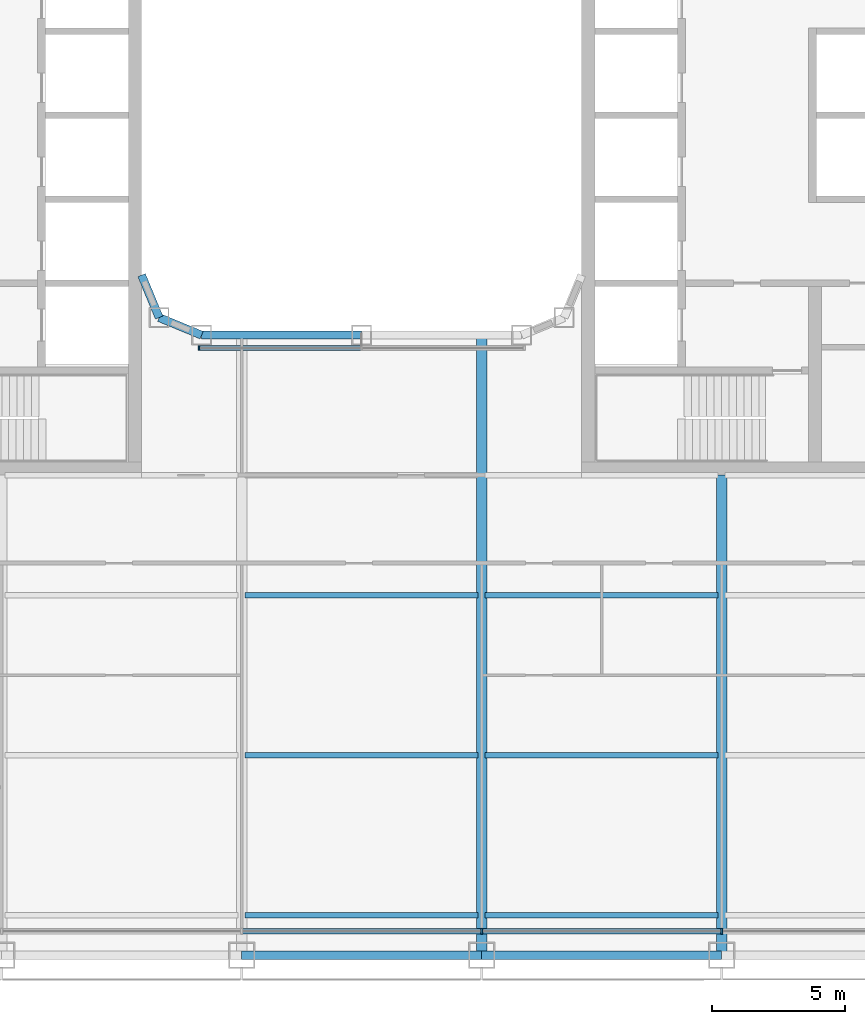
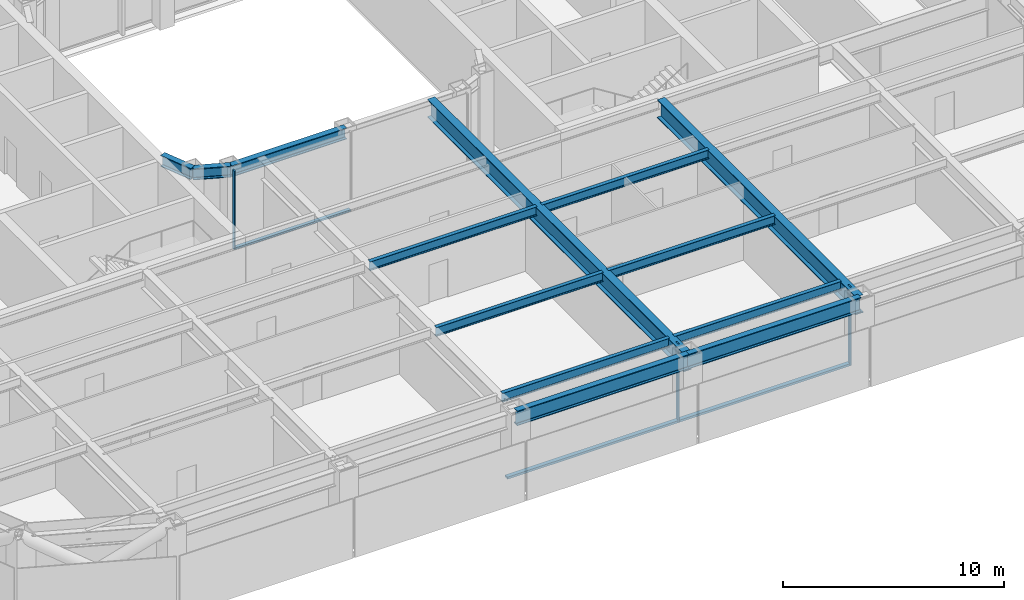
# One storey, part 3 of 30: 13 beams, 6 members, 2 elements without a shape of their own.
"""IFC4 building model written with IfcOpenShell, lengths in metres."""

from ifc_helpers import new_model, si_unit, direction, frame, origin, origin_2d, place, context, subcontext, project, spatial, rectangle, i_section, extrude, material, layer, layer_set, material_profile, profile_set, type_object, element, aggregate, save


model = new_model("IFC4")

# Units and contexts
model_context = context("Model", 3, precision=1e-05, world=origin(), true_north=direction((0.0, 1.0)))
body_context = subcontext(model_context, "Body", "Model", "MODEL_VIEW")
ifc_project = project(units=[si_unit("LENGTHUNIT", "METRE"), si_unit("AREAUNIT", "SQUARE_METRE"), si_unit("VOLUMEUNIT", "CUBIC_METRE"), si_unit("PLANEANGLEUNIT", "RADIAN"), si_unit("MASSUNIT", "GRAM", prefix="KILO")], contexts=[model_context])

# Site, building, storey
site_placement = place(None, origin())
site = spatial("IfcSite", under=ifc_project, at=site_placement, CompositionType="ELEMENT")
building_placement = place(site_placement, origin())
building = spatial("IfcBuilding", under=site, at=building_placement, Name="Siwar Civic Tower", CompositionType="ELEMENT")
storey_placement = place(building_placement, frame((0.0, 0.0, 80.699951171875)))
storey = spatial("IfcBuildingStorey", under=building, at=storey_placement, Name="L17", CompositionType="ELEMENT", Elevation=80.699951171875)

# Curtain wall, members
ifc_material_1 = material(Name="Aluminium and glass", Category="aluminium")
ifc_layer_1 = layer(ifc_material_1, 0.219970703125)
ifc_layer_set_1 = layer_set([ifc_layer_1], Name="Aluminium and glass")
curtain_wall_type_1 = type_object("IfcCurtainWallType", Name="ENV-CW-A", PredefinedType="NOTDEFINED", material=ifc_layer_set_1)
curtain_wall_1_placement = place(storey_placement, origin())
curtain_wall_1 = element("IfcCurtainWall", 1, at=curtain_wall_1_placement, inside=storey, type_object=curtain_wall_type_1, Name="Curtain wall A S", PredefinedType="NOTDEFINED")
ifc_material_2 = material(Name="Aluminium 6063-T6", Category="aluminium")
ifc_material_profile_1 = material_profile(ifc_material_2, rectangle(XDim=0.219970703125, YDim=0.070068359375, at=origin_2d()), Name="AL 220x70")
ifc_profile_set_1 = profile_set([ifc_material_profile_1], Name="Aluminium 6063-T6")
member_type_1 = type_object("IfcMemberType", Name="ENV-MULLION-A", PredefinedType="MULLION", material=ifc_profile_set_1)
member_1_placement = place(storey_placement, frame((4.5, -30.60009765625, 0.0), z_axis=(0.0, 0.0, 1.0), x_axis=(0.0, 1.0, 0.0)))
member_1 = element("IfcMember", 2, at=member_1_placement, type_object=member_type_1, Name="Mullion A S 4", PredefinedType="MULLION", context=body_context, shape_type="SweptSolid", body=[
    extrude(rectangle(XDim=0.219970703125, YDim=0.070068359375, at=origin_2d()), origin(), (0.0, 0.0, 1.0), 4.35009765625),
])
member_2_placement = place(storey_placement, frame((13.5, -30.60009765625, 0.0), z_axis=(0.0, 0.0, 1.0), x_axis=(0.0, 1.0, 0.0)))
member_2 = element("IfcMember", 3, at=member_2_placement, type_object=member_type_1, Name="Mullion A S 5", PredefinedType="MULLION", context=body_context, shape_type="SweptSolid", body=[
    extrude(rectangle(XDim=0.219970703125, YDim=0.070068359375, at=origin_2d()), origin(), (0.0, 0.0, 1.0), 4.35009765625),
])

# Curtain wall, member
ifc_material_3 = material(Name="Aluminium and glass", Category="aluminium")
ifc_layer_2 = layer(ifc_material_3, 0.179931640625)
ifc_layer_set_2 = layer_set([ifc_layer_2], Name="Aluminium and glass")
curtain_wall_type_2 = type_object("IfcCurtainWallType", Name="ENV-CW-W", PredefinedType="NOTDEFINED", material=ifc_layer_set_2)
curtain_wall_2_placement = place(storey_placement, origin())
curtain_wall_2 = element("IfcCurtainWall", 4, at=curtain_wall_2_placement, inside=storey, type_object=curtain_wall_type_2, Name="Curtain wall W WS", PredefinedType="NOTDEFINED")
ifc_material_4 = material(Name="Aluminium 6063-T6", Category="aluminium")
ifc_material_profile_2 = material_profile(ifc_material_4, rectangle(XDim=0.179931640625, YDim=0.06005859375, at=origin_2d()), Name="AL 180x60")
ifc_profile_set_2 = profile_set([ifc_material_profile_2], Name="Aluminium 6063-T6")
member_type_2 = type_object("IfcMemberType", Name="ENV-MULLION-W", PredefinedType="MULLION", material=ifc_profile_set_2)
member_3_placement = place(storey_placement, frame((-6.096435546875, -8.735107421875, 0.0), z_axis=(0.0, 0.0, 1.0), x_axis=(0.0, 1.0, 0.0)))
member_3 = element("IfcMember", 5, at=member_3_placement, type_object=member_type_2, Name="Mullion W WS 1", PredefinedType="MULLION", context=body_context, shape_type="SweptSolid", body=[
    extrude(rectangle(XDim=0.179931640625, YDim=0.06005859375, at=origin_2d()), origin(), (0.0, 0.0, 1.0), 4.35009765625),
])

# Member
ifc_material_5 = material(Name="Aluminium 6063-T6", Category="aluminium")
ifc_material_profile_3 = material_profile(ifc_material_5, rectangle(XDim=0.219970703125, YDim=0.1201171875, at=origin_2d()), Name="AL 220x120")
ifc_profile_set_3 = profile_set([ifc_material_profile_3], Name="Aluminium 6063-T6")
member_type_3 = type_object("IfcMemberType", Name="ENV-TRANSOM-A", PredefinedType="USERDEFINED", material=ifc_profile_set_3)
member_4_placement = place(storey_placement, frame((-4.465087890625, -30.60009765625, 0.06005859375), z_axis=(1.0, 0.0, 0.0), x_axis=(0.0, 1.0, 0.0)))
member_4 = element("IfcMember", 6, at=member_4_placement, type_object=member_type_3, Name="Transom A S 3", ObjectType="TRANSOM", PredefinedType="USERDEFINED", context=body_context, shape_type="SweptSolid", body=[
    extrude(rectangle(XDim=0.219970703125, YDim=0.1201171875, at=origin_2d()), origin(), (0.0, 0.0, 1.0), 8.93017578125),
])

member_5_placement = place(storey_placement, frame((4.534912109375, -30.60009765625, 0.06005859375), z_axis=(1.0, 0.0, 0.0), x_axis=(0.0, 1.0, 0.0)))
member_5 = element("IfcMember", 7, at=member_5_placement, type_object=member_type_3, Name="Transom A S 4", ObjectType="TRANSOM", PredefinedType="USERDEFINED", context=body_context, shape_type="SweptSolid", body=[
    extrude(rectangle(XDim=0.219970703125, YDim=0.1201171875, at=origin_2d()), origin(), (0.0, 0.0, 1.0), 8.93017578125),
])

aggregate(curtain_wall_1, [member_1, member_2, member_4, member_5])

ifc_material_6 = material(Name="Aluminium 6063-T6", Category="aluminium")
ifc_material_profile_4 = material_profile(ifc_material_6, rectangle(XDim=0.179931640625, YDim=0.10009765625, at=origin_2d()), Name="AL 180x100")
ifc_profile_set_4 = profile_set([ifc_material_profile_4], Name="Aluminium 6063-T6")
member_type_4 = type_object("IfcMemberType", Name="ENV-TRANSOM-W", PredefinedType="USERDEFINED", material=ifc_profile_set_4)
member_6_placement = place(storey_placement, frame((-6.06640625, -8.735107421875, 0.050048828125), z_axis=(1.0, 0.0, 0.0), x_axis=(0.0, 1.0, 0.0)))
member_6 = element("IfcMember", 8, at=member_6_placement, type_object=member_type_4, Name="Transom W WS 1", ObjectType="TRANSOM", PredefinedType="USERDEFINED", context=body_context, shape_type="SweptSolid", body=[
    extrude(rectangle(XDim=0.179931640625, YDim=0.10009765625, at=origin_2d()), origin(), (0.0, 0.0, 1.0), 6.036376953125),
])

aggregate(curtain_wall_2, [member_3, member_6])

# Beams
ifc_material_7 = material(Name="Steel S355", Category="steel")
ifc_material_profile_5 = material_profile(ifc_material_7, i_section(OverallWidth=0.199951171875, OverallDepth=0.5, WebThickness=0.01025390625, FlangeThickness=0.01611328125, FilletRadius=0.02099609375, at=origin_2d()), Name="IPE500")
ifc_profile_set_5 = profile_set([ifc_material_profile_5], Name="Steel S355")
beam_type_1 = type_object("IfcBeamType", Name="STR-FB-IPE500", PredefinedType="JOIST", material=ifc_profile_set_5)
for number, where, z_axis, x_axis, name in (
    (9, (-4.3701171875, -30.0, 4.10009765625), (1.0, 0.0, 0.0), (0.0, 1.0, 0.0), "L17/bm/F004"),
    (10, (4.6298828125, -30.0, 4.10009765625), (1.0, 0.0, 0.0), (0.0, 1.0, 0.0), "L17/bm/F005"),
    (11, (-4.3701171875, -24.0, 4.10009765625), (1.0, 0.0, 0.0), (0.0, 1.0, 0.0), "L17/bm/F011"),
    (12, (4.6298828125, -24.0, 4.10009765625), (1.0, 0.0, 0.0), (0.0, 1.0, 0.0), "L17/bm/F012"),
    (13, (-4.3701171875, -18.0, 4.10009765625), (1.0, 0.0, 0.0), (0.0, 1.0, 0.0), "L17/bm/F018"),
    (14, (4.6298828125, -18.0, 4.10009765625), (1.0, 0.0, 0.0), (0.0, 1.0, 0.0), "L17/bm/F019"),
):
    element("IfcBeam", number, at=place(storey_placement, frame(where, z_axis=z_axis, x_axis=x_axis)), inside=storey, type_object=beam_type_1, Name=name, PredefinedType="JOIST", context=body_context, shape_type="SweptSolid", body=[
        extrude(i_section(OverallWidth=0.199951171875, OverallDepth=0.5, WebThickness=0.01025390625, FlangeThickness=0.01611328125, FilletRadius=0.02099609375, at=origin_2d()), origin(), (0.0, 0.0, 1.0), 8.740234375),
    ])
ifc_material_8 = material(Name="Steel S355", Category="steel")
ifc_material_profile_6 = material_profile(ifc_material_8, i_section(OverallWidth=0.39990234375, OverallDepth=1.0, WebThickness=0.01611328125, FlangeThickness=0.0400390625, at=origin_2d()), Name="PG1000x400x16x40")
ifc_profile_set_6 = profile_set([ifc_material_profile_6], Name="Steel S355")
beam_type_2 = type_object("IfcBeamType", Name="STR-PG-PG1000x400x16x40", PredefinedType="BEAM", material=ifc_profile_set_6)
beam_1_placement = place(storey_placement, frame((4.5, -31.5, 3.85009765625), z_axis=(0.0, 1.0, 0.0), x_axis=(-1.0, 0.0, 0.0)))
element("IfcBeam", 15, at=beam_1_placement, inside=storey, type_object=beam_type_2, Name="L17/bm/G07", PredefinedType="BEAM", context=body_context, shape_type="SweptSolid", body=[
    extrude(i_section(OverallWidth=0.39990234375, OverallDepth=1.0, WebThickness=0.01611328125, FlangeThickness=0.0400390625, at=origin_2d()), origin(), (0.0, 0.0, 1.0), 23.25),
])
beam_2_placement = place(storey_placement, frame((13.5, -31.5, 3.85009765625), z_axis=(0.0, 1.0, 0.0), x_axis=(-1.0, 0.0, 0.0)))
element("IfcBeam", 16, at=beam_2_placement, inside=storey, type_object=beam_type_2, Name="L17/bm/G09", PredefinedType="BEAM", context=body_context, shape_type="SweptSolid", body=[
    extrude(i_section(OverallWidth=0.39990234375, OverallDepth=1.0, WebThickness=0.01611328125, FlangeThickness=0.0400390625, at=origin_2d()), origin(), (0.0, 0.0, 1.0), 18.0),
])
ifc_material_9 = material(Name="Steel S355", Category="steel")
ifc_material_profile_7 = material_profile(ifc_material_9, i_section(OverallWidth=0.304931640625, OverallDepth=0.6201171875, WebThickness=0.02099609375, FlangeThickness=0.0400390625, FilletRadius=0.027099609375, at=origin_2d()), Name="HEM600")
ifc_profile_set_7 = profile_set([ifc_material_profile_7], Name="Steel S355")
beam_type_3 = type_object("IfcBeamType", Name="STR-RB-HEM600", PredefinedType="BEAM", material=ifc_profile_set_7)
beam_3_placement = place(storey_placement, frame((-7.591064453125, -7.591064453125, 4.0400390625), z_axis=(0.923901072997, -0.382631424892, 0.0), x_axis=(0.382631424892, 0.923901072997, 0.0)))
element("IfcBeam", 17, at=beam_3_placement, inside=storey, type_object=beam_type_3, Name="L17/bm/RS0", PredefinedType="BEAM", context=body_context, shape_type="SweptSolid", body=[
    extrude(i_section(OverallWidth=0.304931640625, OverallDepth=0.6201171875, WebThickness=0.02099609375, FlangeThickness=0.0400390625, FilletRadius=0.027099609375, at=origin_2d()), origin(), (0.0, 0.0, 1.0), 1.72216796875),
])
beam_4_placement = place(storey_placement, frame((-6.0, -8.25, 4.0400390625), z_axis=(1.0, 0.0, 0.0), x_axis=(0.0, 1.0, 0.0)))
element("IfcBeam", 18, at=beam_4_placement, inside=storey, type_object=beam_type_3, Name="L17/bm/RS1", PredefinedType="BEAM", context=body_context, shape_type="SweptSolid", body=[
    extrude(i_section(OverallWidth=0.304931640625, OverallDepth=0.6201171875, WebThickness=0.02099609375, FlangeThickness=0.0400390625, FilletRadius=0.027099609375, at=origin_2d()), origin(), (0.0, 0.0, 1.0), 6.0),
])
beam_5_placement = place(storey_placement, frame((-7.591064453125, -7.591064453125, 4.0400390625), z_axis=(-0.382631424892, 0.923901072997, 0.0), x_axis=(-0.923901072997, -0.382631424892, 0.0)))
element("IfcBeam", 19, at=beam_5_placement, inside=storey, type_object=beam_type_3, Name="L17/bm/RSEW", PredefinedType="BEAM", context=body_context, shape_type="SweptSolid", body=[
    extrude(i_section(OverallWidth=0.304931640625, OverallDepth=0.6201171875, WebThickness=0.02099609375, FlangeThickness=0.0400390625, FilletRadius=0.027099609375, at=origin_2d()), origin(), (0.0, 0.0, 1.0), 1.72216796875),
])
ifc_material_10 = material(Name="Steel S355", Category="steel")
ifc_material_profile_8 = material_profile(ifc_material_10, i_section(OverallWidth=0.302978515625, OverallDepth=0.81396484375, WebThickness=0.02099609375, FlangeThickness=0.0400390625, FilletRadius=0.030029296875, at=origin_2d()), Name="HEM800")
ifc_profile_set_8 = profile_set([ifc_material_profile_8], Name="Steel S355")
beam_type_4 = type_object("IfcBeamType", Name="STR-SB-HEM800", PredefinedType="BEAM", material=ifc_profile_set_8)
for number, where, z_axis, x_axis, name in (
    (20, (-4.5, -31.5, 3.943115234375), (1.0, 0.0, 0.0), (0.0, 1.0, 0.0), "L17/bm/SS-2"),
    (21, (4.5, -31.5, 3.943115234375), (1.0, 0.0, 0.0), (0.0, 1.0, 0.0), "L17/bm/SS-3"),
):
    element("IfcBeam", number, at=place(storey_placement, frame(where, z_axis=z_axis, x_axis=x_axis)), inside=storey, type_object=beam_type_4, Name=name, PredefinedType="BEAM", context=body_context, shape_type="SweptSolid", body=[
        extrude(i_section(OverallWidth=0.302978515625, OverallDepth=0.81396484375, WebThickness=0.02099609375, FlangeThickness=0.0400390625, FilletRadius=0.030029296875, at=origin_2d()), origin(), (0.0, 0.0, 1.0), 9.0),
    ])

save(model, "model.ifc")
